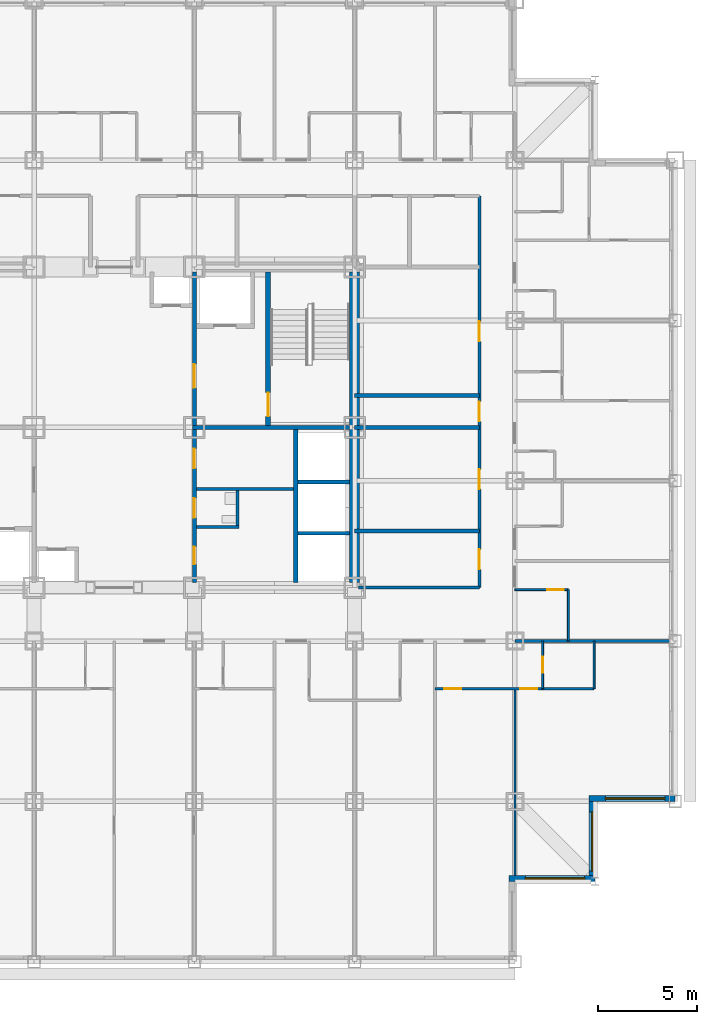
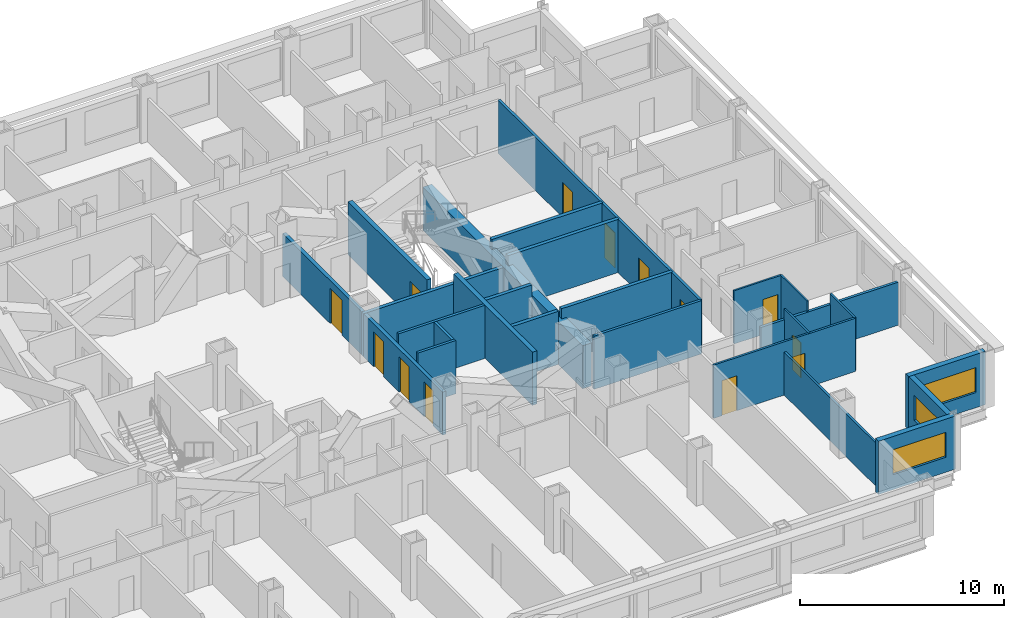
# One storey, part 7 of 14: 26 walls, 13 doors, 3 windows, 16 openings.
"""IFC4 building model written with IfcOpenShell, lengths in metres."""

from ifc_helpers import new_model, si_unit, direction, frame, frame_2d, origin, place, context, subcontext, project, spatial, rectangle, extrude, material, layer, layer_set, type_object, element, fill, save


model = new_model("IFC4")

# Units and contexts
model_context = context("Model", 3, precision=1e-05, world=origin(), true_north=direction((0.0, 1.0)))
body_context = subcontext(model_context, "Body", "Model", "MODEL_VIEW")
ifc_project = project(units=[si_unit("LENGTHUNIT", "METRE"), si_unit("AREAUNIT", "SQUARE_METRE"), si_unit("VOLUMEUNIT", "CUBIC_METRE"), si_unit("PLANEANGLEUNIT", "RADIAN"), si_unit("MASSUNIT", "GRAM", prefix="KILO")], contexts=[model_context])

# Site, building, storey
site_placement = place(None, origin())
site = spatial("IfcSite", under=ifc_project, at=site_placement, CompositionType="ELEMENT")
building_placement = place(site_placement, origin())
building = spatial("IfcBuilding", under=site, at=building_placement, Name="Kopane Lantern Tower", CompositionType="ELEMENT")
storey_placement = place(building_placement, frame((0.0, 0.0, 123.800048828125)))
storey = spatial("IfcBuildingStorey", under=building, at=storey_placement, Name="L31", CompositionType="ELEMENT", Elevation=123.800048828125)

# Wall, openings, doors
ifc_material_1 = material(Name="Gypsum board on steel studs", Category="steel")
ifc_layer_1 = layer(ifc_material_1, 0.1201171875)
ifc_layer_set_1 = layer_set([ifc_layer_1], Name="APARTMENT INTERNAL WALL 120")
wall_type_1 = type_object("IfcWallType", Name="APARTMENT INTERNAL WALL 120", PredefinedType="PARTITIONING", material=ifc_layer_set_1)
wall_1_placement = place(storey_placement, frame((44.550048828125, 19.199951171875, 0.0), z_axis=(0.0, 0.0, 1.0), x_axis=(1.0, 0.0, 0.0)))
wall_1 = element("IfcWall", 1, at=wall_1_placement, inside=storey, type_object=wall_type_1, Name="Apartment Internal Wall 120 L31", PredefinedType="PARTITIONING", context=body_context, shape_type="SweptSolid", body=[
    extrude(rectangle(XDim=8.050048828125, YDim=0.1201171875, at=frame_2d((4.02490234375, 0.0))), origin(), (0.0, 0.0, 1.0), 3.18994140625),
])
opening_1_placement = place(wall_1_placement, frame((0.47509765625, 0.0, 0.0)))
opening_1 = element("IfcOpeningElement", 2, at=opening_1_placement, cuts=wall_1, Name="Opening L31-070", PredefinedType="OPENING", context=body_context, shape_type="SweptSolid", body=[
    extrude(rectangle(XDim=0.85009765625, YDim=2.10009765625, at=frame_2d((0.425048828125, 1.050048828125))), frame((0.0, 0.070068359375, 0.0), z_axis=(0.0, -1.0, 0.0), x_axis=(1.0, 0.0, 0.0)), (0.0, 0.0, 1.0), 0.14013671875),
])
opening_2_placement = place(wall_1_placement, frame((4.324951171875, 0.0, 0.0)))
opening_2 = element("IfcOpeningElement", 3, at=opening_2_placement, cuts=wall_1, Name="Opening L31-072", PredefinedType="OPENING", context=body_context, shape_type="SweptSolid", body=[
    extrude(rectangle(XDim=0.85009765625, YDim=2.10009765625, at=frame_2d((0.425048828125, 1.050048828125))), frame((0.0, 0.070068359375, 0.0), z_axis=(0.0, -1.0, 0.0), x_axis=(1.0, 0.0, 0.0)), (0.0, 0.0, 1.0), 0.14013671875),
])
ifc_material_2 = material(Name="Timber door set", Category="wood")
door_type_1 = type_object("IfcDoorType", Name="DOOR D4 850x2100", OperationType="SINGLE_SWING_LEFT", PredefinedType="DOOR", material=ifc_material_2)
door_1_placement = place(opening_1_placement, origin())
door_1 = element("IfcDoor", 4, at=door_1_placement, inside=storey, type_object=door_type_1, Name="Door L31-070", OperationType="SINGLE_SWING_LEFT", OverallHeight=2.10009765625, OverallWidth=0.85009765625, PredefinedType="DOOR", context=body_context, shape_type="SweptSolid", body=[
    extrude(rectangle(XDim=0.85009765625, YDim=2.10009765625, at=frame_2d((0.425048828125, 1.050048828125))), frame((0.0, 0.02490234375, 0.0), z_axis=(0.0, -1.0, 0.0), x_axis=(1.0, 0.0, 0.0)), (0.0, 0.0, 1.0), 0.050048828125),
])
fill(opening_1, door_1)
door_2_placement = place(opening_2_placement, origin())
door_2 = element("IfcDoor", 5, at=door_2_placement, inside=storey, type_object=door_type_1, Name="Door L31-072", OperationType="SINGLE_SWING_RIGHT", OverallHeight=2.10009765625, OverallWidth=0.85009765625, PredefinedType="DOOR", context=body_context, shape_type="SweptSolid", body=[
    extrude(rectangle(XDim=0.85009765625, YDim=2.10009765625, at=frame_2d((0.425048828125, 1.050048828125))), frame((0.0, 0.02490234375, 0.0), z_axis=(0.0, -1.0, 0.0), x_axis=(1.0, 0.0, 0.0)), (0.0, 0.0, 1.0), 0.050048828125),
])
fill(opening_2, door_2)

# Walls
wall_2_placement = place(storey_placement, frame((48.60009765625, 19.199951171875, 0.0), z_axis=(0.0, 0.0, 1.0), x_axis=(0.0, -1.0, 0.0)))
element("IfcWall", 6, at=wall_2_placement, inside=storey, type_object=wall_type_1, Name="Apartment Internal Wall 120 L31", PredefinedType="PARTITIONING", context=body_context, shape_type="SweptSolid", body=[
    extrude(rectangle(XDim=9.449951171875, YDim=0.1201171875, at=frame_2d((4.72509765625, 0.0))), origin(), (0.0, 0.0, 1.0), 2.57763671875),
])
ifc_material_3 = material(Name="Moisture-resistant board on steel studs", Category="steel")
ifc_layer_2 = layer(ifc_material_3, 0.10009765625)
ifc_layer_set_2 = layer_set([ifc_layer_2], Name="BATHROOM WALL 100")
wall_type_2 = type_object("IfcWallType", Name="BATHROOM WALL 100", PredefinedType="PARTITIONING", material=ifc_layer_set_2)
wall_3_placement = place(storey_placement, frame((51.300048828125, 21.60009765625, 0.0), z_axis=(0.0, 0.0, 1.0), x_axis=(0.0, 1.0, 0.0)))
element("IfcWall", 7, at=wall_3_placement, inside=storey, type_object=wall_type_2, Name="Bathroom Wall 100 L31", PredefinedType="PARTITIONING", context=body_context, shape_type="SweptSolid", body=[
    extrude(rectangle(XDim=2.599853515625, YDim=0.10009765625, at=frame_2d((1.2998046875, 0.0))), origin(), (0.0, 0.0, 1.0), 3.18994140625),
])

# Wall, opening, door
wall_4_placement = place(storey_placement, frame((48.60009765625, 24.199951171875, 0.0), z_axis=(0.0, 0.0, 1.0), x_axis=(1.0, 0.0, 0.0)))
wall_4 = element("IfcWall", 8, at=wall_4_placement, inside=storey, type_object=wall_type_2, Name="Bathroom Wall 100 L31", PredefinedType="PARTITIONING", context=body_context, shape_type="SweptSolid", body=[
    extrude(rectangle(XDim=2.699951171875, YDim=0.10009765625, at=frame_2d((1.35009765625, 0.0))), origin(), (0.0, 0.0, 1.0), 3.18994140625),
])
opening_3_placement = place(wall_4_placement, frame((1.625, 0.0, 0.0)))
opening_3 = element("IfcOpeningElement", 9, at=opening_3_placement, cuts=wall_4, Name="Opening L31-053", PredefinedType="OPENING", context=body_context, shape_type="SweptSolid", body=[
    extrude(rectangle(XDim=0.85009765625, YDim=2.10009765625, at=frame_2d((0.425048828125, 1.050048828125))), frame((0.0, 0.06005859375, 0.0), z_axis=(0.0, -1.0, 0.0), x_axis=(1.0, 0.0, 0.0)), (0.0, 0.0, 1.0), 0.1201171875),
])
door_3_placement = place(opening_3_placement, origin())
door_3 = element("IfcDoor", 10, at=door_3_placement, inside=storey, type_object=door_type_1, Name="Door L31-053", OperationType="SINGLE_SWING_LEFT", OverallHeight=2.10009765625, OverallWidth=0.85009765625, PredefinedType="DOOR", context=body_context, shape_type="SweptSolid", body=[
    extrude(rectangle(XDim=0.85009765625, YDim=2.10009765625, at=frame_2d((0.425048828125, 1.050048828125))), frame((0.0, 0.02490234375, 0.0), z_axis=(0.0, -1.0, 0.0), x_axis=(1.0, 0.0, 0.0)), (0.0, 0.0, 1.0), 0.050048828125),
])
fill(opening_3, door_3)

wall_5_placement = place(storey_placement, frame((50.0, 21.60009765625, 0.0), z_axis=(0.0, 0.0, 1.0), x_axis=(0.0, -1.0, 0.0)))
wall_5 = element("IfcWall", 11, at=wall_5_placement, inside=storey, type_object=wall_type_2, Name="Bathroom Wall 100 L31", PredefinedType="PARTITIONING", context=body_context, shape_type="SweptSolid", body=[
    extrude(rectangle(XDim=2.400146484375, YDim=0.10009765625, at=frame_2d((1.2001953125, 0.0))), origin(), (0.0, 0.0, 1.0), 3.18994140625),
])
opening_4_placement = place(wall_5_placement, frame((0.800048828125, 0.0, 0.0)))
opening_4 = element("IfcOpeningElement", 12, at=opening_4_placement, cuts=wall_5, Name="Opening L31-071", PredefinedType="OPENING", context=body_context, shape_type="SweptSolid", body=[
    extrude(rectangle(XDim=0.800048828125, YDim=2.10009765625, at=frame_2d((0.39990234375, 1.050048828125))), frame((0.0, 0.06005859375, 0.0), z_axis=(0.0, -1.0, 0.0), x_axis=(1.0, 0.0, 0.0)), (0.0, 0.0, 1.0), 0.1201171875),
])
ifc_material_4 = material(Name="Timber door set", Category="wood")
door_type_2 = type_object("IfcDoorType", Name="DOOR D2 800x2100", OperationType="SINGLE_SWING_LEFT", PredefinedType="DOOR", material=ifc_material_4)
door_4_placement = place(opening_4_placement, origin())
door_4 = element("IfcDoor", 13, at=door_4_placement, inside=storey, type_object=door_type_2, Name="Door L31-071", OperationType="SINGLE_SWING_LEFT", OverallHeight=2.10009765625, OverallWidth=0.800048828125, PredefinedType="DOOR", context=body_context, shape_type="SweptSolid", body=[
    extrude(rectangle(XDim=0.800048828125, YDim=2.10009765625, at=frame_2d((0.39990234375, 1.050048828125))), frame((0.0, 0.02490234375, 0.0), z_axis=(0.0, -1.0, 0.0), x_axis=(1.0, 0.0, 0.0)), (0.0, 0.0, 1.0), 0.050048828125),
])
fill(opening_4, door_4)

# Walls
wall_6_placement = place(storey_placement, frame((52.60009765625, 21.60009765625, 0.0), z_axis=(0.0, 0.0, 1.0), x_axis=(0.0, -1.0, 0.0)))
element("IfcWall", 14, at=wall_6_placement, inside=storey, type_object=wall_type_2, Name="Bathroom Wall 100 L31", PredefinedType="PARTITIONING", context=body_context, shape_type="SweptSolid", body=[
    extrude(rectangle(XDim=2.400146484375, YDim=0.10009765625, at=frame_2d((1.2001953125, 0.0))), origin(), (0.0, 0.0, 1.0), 3.18994140625),
])
ifc_material_5 = material(Name="Gypsum shaft wall EI 120", Category="gypsum")
ifc_layer_3 = layer(ifc_material_5, 0.5)
ifc_layer_set_3 = layer_set([ifc_layer_3], Name="CORE PERIMETER WALL 500 EI 120")
wall_type_3 = type_object("IfcWallType", Name="CORE PERIMETER WALL 500 EI 120", PredefinedType="SOLIDWALL", material=ifc_layer_set_3)
wall_7_placement = place(storey_placement, frame((40.5, 24.550048828125, 0.0), z_axis=(0.0, 0.0, 1.0), x_axis=(0.0, 1.0, 0.0)))
element("IfcWall", 15, at=wall_7_placement, inside=storey, type_object=wall_type_3, Name="Core shaft wall L31 PE", PredefinedType="SOLIDWALL", context=body_context, shape_type="SweptSolid", body=[
    extrude(rectangle(XDim=15.699951171875, YDim=0.5, at=frame_2d((7.85009765625, 0.0))), origin(), (0.0, 0.0, 1.0), 2.57763671875),
])
ifc_material_6 = material(Name="Gypsum partition EI 60", Category="gypsum")
ifc_layer_4 = layer(ifc_material_6, 0.14990234375)
ifc_layer_set_4 = layer_set([ifc_layer_4], Name="CORE ROOM PARTITION 150 EI 60")
wall_type_4 = type_object("IfcWallType", Name="CORE ROOM PARTITION 150 EI 60", PredefinedType="PARTITIONING", material=ifc_layer_set_4)
wall_8_placement = place(storey_placement, frame((32.5, 27.375, 0.0), z_axis=(0.0, 0.0, 1.0), x_axis=(1.0, 0.0, 0.0)))
element("IfcWall", 16, at=wall_8_placement, inside=storey, type_object=wall_type_4, Name="Core room partition L31 E1", PredefinedType="PARTITIONING", context=body_context, shape_type="SweptSolid", body=[
    extrude(rectangle(XDim=2.14990234375, YDim=0.14990234375, at=frame_2d((1.074951171875, 0.0))), origin(), (0.0, 0.0, 1.0), 3.18994140625),
])
wall_9_placement = place(storey_placement, frame((32.5, 29.27490234375, 0.0), z_axis=(0.0, 0.0, 1.0), x_axis=(1.0, 0.0, 0.0)))
element("IfcWall", 17, at=wall_9_placement, inside=storey, type_object=wall_type_4, Name="Core room partition L31 E2", PredefinedType="PARTITIONING", context=body_context, shape_type="SweptSolid", body=[
    extrude(rectangle(XDim=4.89990234375, YDim=0.14990234375, at=frame_2d((2.449951171875, 0.0))), origin(), (0.0, 0.0, 1.0), 3.18994140625),
])
wall_10_placement = place(storey_placement, frame((34.574951171875, 27.449951171875, 0.0), z_axis=(0.0, 0.0, 1.0), x_axis=(0.0, 1.0, 0.0)))
element("IfcWall", 18, at=wall_10_placement, inside=storey, type_object=wall_type_4, Name="Core room partition L31 EB1", PredefinedType="PARTITIONING", context=body_context, shape_type="SweptSolid", body=[
    extrude(rectangle(XDim=1.75, YDim=0.14990234375, at=frame_2d((0.875, 0.0))), origin(), (0.0, 0.0, 1.0), 3.18994140625),
])

# Wall, openings, doors
ifc_material_7 = material(Name="Gypsum partition EI 60", Category="gypsum")
ifc_layer_5 = layer(ifc_material_7, 0.199951171875)
ifc_layer_set_5 = layer_set([ifc_layer_5], Name="CORE ROOM WALL 200 EI 60")
wall_type_5 = type_object("IfcWallType", Name="CORE ROOM WALL 200 EI 60", PredefinedType="PARTITIONING", material=ifc_layer_set_5)
wall_11_placement = place(storey_placement, frame((32.39990234375, 24.550048828125, 0.0), z_axis=(0.0, 0.0, 1.0), x_axis=(0.0, 1.0, 0.0)))
wall_11 = element("IfcWall", 19, at=wall_11_placement, inside=storey, type_object=wall_type_5, Name="Core room wall L31 XE", PredefinedType="PARTITIONING", context=body_context, shape_type="SweptSolid", body=[
    extrude(rectangle(XDim=7.75, YDim=0.199951171875, at=frame_2d((3.875, 0.0))), origin(), (0.0, 0.0, 1.0), 2.57763671875),
])
opening_5_placement = place(wall_11_placement, frame((0.925048828125, 0.0, 0.0)))
opening_5 = element("IfcOpeningElement", 20, at=opening_5_placement, cuts=wall_11, Name="Opening 31.C20", PredefinedType="OPENING", context=body_context, shape_type="SweptSolid", body=[
    extrude(rectangle(XDim=0.89990234375, YDim=2.10009765625, at=frame_2d((0.449951171875, 1.050048828125))), frame((0.0, 0.10986328125, 0.0), z_axis=(0.0, -1.0, 0.0), x_axis=(1.0, 0.0, 0.0)), (0.0, 0.0, 1.0), 0.219970703125),
])
opening_6_placement = place(wall_11_placement, frame((3.27490234375, 0.0, 0.0)))
opening_6 = element("IfcOpeningElement", 21, at=opening_6_placement, cuts=wall_11, Name="Opening 31.C21", PredefinedType="OPENING", context=body_context, shape_type="SweptSolid", body=[
    extrude(rectangle(XDim=1.0, YDim=2.10009765625, at=frame_2d((0.5, 1.050048828125))), frame((0.0, 0.10986328125, 0.0), z_axis=(0.0, -1.0, 0.0), x_axis=(1.0, 0.0, 0.0)), (0.0, 0.0, 1.0), 0.219970703125),
])
opening_7_placement = place(wall_11_placement, frame((5.77490234375, 0.0, 0.0)))
opening_7 = element("IfcOpeningElement", 22, at=opening_7_placement, cuts=wall_11, Name="Opening 31.C22", PredefinedType="OPENING", context=body_context, shape_type="SweptSolid", body=[
    extrude(rectangle(XDim=1.0, YDim=2.10009765625, at=frame_2d((0.5, 1.050048828125))), frame((0.0, 0.10986328125, 0.0), z_axis=(0.0, -1.0, 0.0), x_axis=(1.0, 0.0, 0.0)), (0.0, 0.0, 1.0), 0.219970703125),
])
ifc_material_8 = material(Name="Steel door set", Category="steel")
door_type_3 = type_object("IfcDoorType", Name="CORE ROOM DOOR 1000x2100 FD30S", OperationType="SINGLE_SWING_RIGHT", PredefinedType="DOOR", material=ifc_material_8)
door_5_placement = place(opening_6_placement, origin())
door_5 = element("IfcDoor", 23, at=door_5_placement, inside=storey, type_object=door_type_3, Name="Door Staff WC L31", OperationType="SINGLE_SWING_LEFT", OverallHeight=2.10009765625, OverallWidth=1.0, PredefinedType="DOOR", context=body_context, shape_type="SweptSolid", body=[
    extrude(rectangle(XDim=1.0, YDim=2.10009765625, at=frame_2d((0.5, 1.050048828125))), frame((0.0, 0.02490234375, 0.0), z_axis=(0.0, -1.0, 0.0), x_axis=(1.0, 0.0, 0.0)), (0.0, 0.0, 1.0), 0.050048828125),
])
fill(opening_6, door_5)
door_6_placement = place(opening_7_placement, origin())
door_6 = element("IfcDoor", 24, at=door_6_placement, inside=storey, type_object=door_type_3, Name="Door Butler pantry L31", OperationType="SINGLE_SWING_RIGHT", OverallHeight=2.10009765625, OverallWidth=1.0, PredefinedType="DOOR", context=body_context, shape_type="SweptSolid", body=[
    extrude(rectangle(XDim=1.0, YDim=2.10009765625, at=frame_2d((0.5, 1.050048828125))), frame((0.0, 0.02490234375, 0.0), z_axis=(0.0, -1.0, 0.0), x_axis=(1.0, 0.0, 0.0)), (0.0, 0.0, 1.0), 0.050048828125),
])
fill(opening_7, door_6)
ifc_material_9 = material(Name="Steel door set", Category="steel")
door_type_4 = type_object("IfcDoorType", Name="CORE ROOM DOOR 900x2100 FD60", OperationType="SINGLE_SWING_LEFT", PredefinedType="DOOR", material=ifc_material_9)
door_7_placement = place(opening_5_placement, origin())
door_7 = element("IfcDoor", 25, at=door_7_placement, inside=storey, type_object=door_type_4, Name="Door Luggage store L31", OperationType="SINGLE_SWING_LEFT", OverallHeight=2.10009765625, OverallWidth=0.89990234375, PredefinedType="DOOR", context=body_context, shape_type="SweptSolid", body=[
    extrude(rectangle(XDim=0.89990234375, YDim=2.10009765625, at=frame_2d((0.449951171875, 1.050048828125))), frame((0.0, 0.02490234375, 0.0), z_axis=(0.0, -1.0, 0.0), x_axis=(1.0, 0.0, 0.0)), (0.0, 0.0, 1.0), 0.050048828125),
])
fill(opening_5, door_7)

# Wall
ifc_material_10 = material(Name="Gypsum shaft wall EI 120", Category="gypsum")
ifc_layer_6 = layer(ifc_material_10, 0.25)
ifc_layer_set_6 = layer_set([ifc_layer_6], Name="CORE SHAFT WALL 250 EI 120")
wall_type_6 = type_object("IfcWallType", Name="CORE SHAFT WALL 250 EI 120", PredefinedType="SOLIDWALL", material=ifc_layer_set_6)
wall_12_placement = place(storey_placement, frame((37.52490234375, 24.550048828125, 0.0), z_axis=(0.0, 0.0, 1.0), x_axis=(0.0, 1.0, 0.0)))
element("IfcWall", 26, at=wall_12_placement, inside=storey, type_object=wall_type_6, Name="Core shaft wall L31 XLR", PredefinedType="SOLIDWALL", context=body_context, shape_type="SweptSolid", body=[
    extrude(rectangle(XDim=7.75, YDim=0.25, at=frame_2d((3.875, 0.0))), origin(), (0.0, 0.0, 1.0), 3.18994140625),
])

# Wall, opening, door
wall_13_placement = place(storey_placement, frame((36.125, 32.5, 0.0), z_axis=(0.0, 0.0, 1.0), x_axis=(0.0, 1.0, 0.0)))
wall_13 = element("IfcWall", 27, at=wall_13_placement, inside=storey, type_object=wall_type_6, Name="Core shaft wall L31 XST2", PredefinedType="SOLIDWALL", context=body_context, shape_type="SweptSolid", body=[
    extrude(rectangle(XDim=7.75, YDim=0.25, at=frame_2d((3.875, 0.0))), origin(), (0.0, 0.0, 1.0), 3.18994140625),
])
opening_8_placement = place(wall_13_placement, frame((0.449951171875, 0.0, 0.0)))
opening_8 = element("IfcOpeningElement", 28, at=opening_8_placement, cuts=wall_13, Name="Opening 31.SD2", PredefinedType="OPENING", context=body_context, shape_type="SweptSolid", body=[
    extrude(rectangle(XDim=1.199951171875, YDim=2.10009765625, at=frame_2d((0.60009765625, 1.050048828125))), frame((0.0, 0.135009765625, 0.0), z_axis=(0.0, -1.0, 0.0), x_axis=(1.0, 0.0, 0.0)), (0.0, 0.0, 1.0), 0.27001953125),
])
ifc_material_11 = material(Name="Steel door set", Category="steel")
door_type_5 = type_object("IfcDoorType", Name="STAIR DOOR 1200x2100 FD60S", OperationType="SINGLE_SWING_LEFT", PredefinedType="DOOR", material=ifc_material_11)
door_8_placement = place(opening_8_placement, origin())
door_8 = element("IfcDoor", 29, at=door_8_placement, inside=storey, type_object=door_type_5, Name="Stair door ST2 L31", OperationType="SINGLE_SWING_RIGHT", OverallHeight=2.10009765625, OverallWidth=1.199951171875, PredefinedType="DOOR", context=body_context, shape_type="SweptSolid", body=[
    extrude(rectangle(XDim=1.199951171875, YDim=2.10009765625, at=frame_2d((0.60009765625, 1.050048828125))), frame((0.0, 0.02490234375, 0.0), z_axis=(0.0, -1.0, 0.0), x_axis=(1.0, 0.0, 0.0)), (0.0, 0.0, 1.0), 0.050048828125),
])
fill(opening_8, door_8)

# Wall, openings, doors
ifc_material_12 = material(Name="Gypsum board on steel studs", Category="steel")
ifc_layer_7 = layer(ifc_material_12, 0.14990234375)
ifc_layer_set_7 = layer_set([ifc_layer_7], Name="CORRIDOR WALL 150 EI 60")
wall_type_7 = type_object("IfcWallType", Name="CORRIDOR WALL 150 EI 60", PredefinedType="PARTITIONING", material=ifc_layer_set_7)
wall_14_placement = place(storey_placement, frame((46.800048828125, 24.300048828125, 0.0), z_axis=(0.0, 0.0, 1.0), x_axis=(0.0, 1.0, 0.0)))
wall_14 = element("IfcWall", 30, at=wall_14_placement, inside=storey, type_object=wall_type_7, Name="Corridor Wall 150 Ei 60 L31", PredefinedType="PARTITIONING", context=body_context, shape_type="SweptSolid", body=[
    extrude(rectangle(XDim=19.800048828125, YDim=0.14990234375, at=frame_2d((9.89990234375, 0.0))), origin(), (0.0, 0.0, 1.0), 3.18994140625),
])
opening_9_placement = place(wall_14_placement, frame((0.9287109375, 0.0, 0.0)))
opening_9 = element("IfcOpeningElement", 31, at=opening_9_placement, cuts=wall_14, Name="Opening L31-004", PredefinedType="OPENING", context=body_context, shape_type="SweptSolid", body=[
    extrude(rectangle(XDim=1.0, YDim=2.10009765625, at=frame_2d((0.5, 1.050048828125))), frame((0.0, 0.0849609375, 0.0), z_axis=(0.0, -1.0, 0.0), x_axis=(1.0, 0.0, 0.0)), (0.0, 0.0, 1.0), 0.169921875),
])
opening_10_placement = place(wall_14_placement, frame((4.978515625, 0.0, 0.0)))
opening_10 = element("IfcOpeningElement", 32, at=opening_10_placement, cuts=wall_14, Name="Opening L31-005", PredefinedType="OPENING", context=body_context, shape_type="SweptSolid", body=[
    extrude(rectangle(XDim=1.0, YDim=2.10009765625, at=frame_2d((0.5, 1.050048828125))), frame((0.0, 0.0849609375, 0.0), z_axis=(0.0, -1.0, 0.0), x_axis=(1.0, 0.0, 0.0)), (0.0, 0.0, 1.0), 0.169921875),
])
opening_11_placement = place(wall_14_placement, frame((8.39990234375, 0.0, 0.0)))
opening_11 = element("IfcOpeningElement", 33, at=opening_11_placement, cuts=wall_14, Name="Opening L31-006", PredefinedType="OPENING", context=body_context, shape_type="SweptSolid", body=[
    extrude(rectangle(XDim=1.0, YDim=2.10009765625, at=frame_2d((0.5, 1.050048828125))), frame((0.0, 0.0849609375, 0.0), z_axis=(0.0, -1.0, 0.0), x_axis=(1.0, 0.0, 0.0)), (0.0, 0.0, 1.0), 0.169921875),
])
opening_12_placement = place(wall_14_placement, frame((12.449951171875, 0.0, 0.0)))
opening_12 = element("IfcOpeningElement", 34, at=opening_12_placement, cuts=wall_14, Name="Opening L31-007", PredefinedType="OPENING", context=body_context, shape_type="SweptSolid", body=[
    extrude(rectangle(XDim=1.0, YDim=2.10009765625, at=frame_2d((0.5, 1.050048828125))), frame((0.0, 0.0849609375, 0.0), z_axis=(0.0, -1.0, 0.0), x_axis=(1.0, 0.0, 0.0)), (0.0, 0.0, 1.0), 0.169921875),
])
ifc_material_13 = material(Name="Steel door set", Category="steel")
door_type_6 = type_object("IfcDoorType", Name="DOOR D5 1000x2100 FD60", OperationType="SINGLE_SWING_LEFT", PredefinedType="DOOR", material=ifc_material_13)
door_9_placement = place(opening_9_placement, origin())
door_9 = element("IfcDoor", 35, at=door_9_placement, inside=storey, type_object=door_type_6, Name="Door L31-004", OperationType="SINGLE_SWING_LEFT", OverallHeight=2.10009765625, OverallWidth=1.0, PredefinedType="DOOR", context=body_context, shape_type="SweptSolid", body=[
    extrude(rectangle(XDim=1.0, YDim=2.10009765625, at=frame_2d((0.5, 1.050048828125))), frame((0.0, 0.02490234375, 0.0), z_axis=(0.0, -1.0, 0.0), x_axis=(1.0, 0.0, 0.0)), (0.0, 0.0, 1.0), 0.050048828125),
])
fill(opening_9, door_9)
door_10_placement = place(opening_10_placement, origin())
door_10 = element("IfcDoor", 36, at=door_10_placement, inside=storey, type_object=door_type_6, Name="Door L31-005", OperationType="SINGLE_SWING_RIGHT", OverallHeight=2.10009765625, OverallWidth=1.0, PredefinedType="DOOR", context=body_context, shape_type="SweptSolid", body=[
    extrude(rectangle(XDim=1.0, YDim=2.10009765625, at=frame_2d((0.5, 1.050048828125))), frame((0.0, 0.02490234375, 0.0), z_axis=(0.0, -1.0, 0.0), x_axis=(1.0, 0.0, 0.0)), (0.0, 0.0, 1.0), 0.050048828125),
])
fill(opening_10, door_10)
door_11_placement = place(opening_11_placement, origin())
door_11 = element("IfcDoor", 37, at=door_11_placement, inside=storey, type_object=door_type_6, Name="Door L31-006", OperationType="SINGLE_SWING_LEFT", OverallHeight=2.10009765625, OverallWidth=1.0, PredefinedType="DOOR", context=body_context, shape_type="SweptSolid", body=[
    extrude(rectangle(XDim=1.0, YDim=2.10009765625, at=frame_2d((0.5, 1.050048828125))), frame((0.0, 0.02490234375, 0.0), z_axis=(0.0, -1.0, 0.0), x_axis=(1.0, 0.0, 0.0)), (0.0, 0.0, 1.0), 0.050048828125),
])
fill(opening_11, door_11)
door_12_placement = place(opening_12_placement, origin())
door_12 = element("IfcDoor", 38, at=door_12_placement, inside=storey, type_object=door_type_6, Name="Door L31-007", OperationType="SINGLE_SWING_RIGHT", OverallHeight=2.10009765625, OverallWidth=1.0, PredefinedType="DOOR", context=body_context, shape_type="SweptSolid", body=[
    extrude(rectangle(XDim=1.0, YDim=2.10009765625, at=frame_2d((0.5, 1.050048828125))), frame((0.0, 0.02490234375, 0.0), z_axis=(0.0, -1.0, 0.0), x_axis=(1.0, 0.0, 0.0)), (0.0, 0.0, 1.0), 0.050048828125),
])
fill(opening_12, door_12)

# Walls
wall_15_placement = place(storey_placement, frame((40.699951171875, 24.300048828125, 0.0), z_axis=(0.0, 0.0, 1.0), x_axis=(1.0, 0.0, 0.0)))
element("IfcWall", 39, at=wall_15_placement, inside=storey, type_object=wall_type_7, Name="Corridor Wall 150 Ei 60 L31", PredefinedType="PARTITIONING", context=body_context, shape_type="SweptSolid", body=[
    extrude(rectangle(XDim=6.10009765625, YDim=0.14990234375, at=frame_2d((3.050048828125, 0.0))), origin(), (0.0, 0.0, 1.0), 3.18994140625),
])
ifc_material_14 = material(Name="Gypsum board on steel studs", Category="steel")
ifc_layer_8 = layer(ifc_material_14, 0.14990234375)
ifc_layer_set_8 = layer_set([ifc_layer_8], Name="DEMISING WALL 150 EI 60")
wall_type_8 = type_object("IfcWallType", Name="DEMISING WALL 150 EI 60", PredefinedType="PARTITIONING", material=ifc_layer_set_8)
wall_16_placement = place(storey_placement, frame((48.60009765625, 21.60009765625, 0.0), z_axis=(0.0, 0.0, 1.0), x_axis=(1.0, 0.0, 0.0)))
element("IfcWall", 40, at=wall_16_placement, inside=storey, type_object=wall_type_8, Name="Demising Wall 150 Ei 60 L31", PredefinedType="PARTITIONING", context=body_context, shape_type="SweptSolid", body=[
    extrude(rectangle(XDim=7.7998046875, YDim=0.14990234375, at=frame_2d((3.89990234375, 0.0))), origin(), (0.0, 0.0, 1.0), 2.57763671875),
])

# Wall, opening, window
ifc_material_15 = material(Name="Terracotta rainscreen on light steel framing", Category="masonry")
ifc_layer_9 = layer(ifc_material_15, 0.300048828125)
ifc_layer_set_9 = layer_set([ifc_layer_9], Name="EXTERNAL WALL EW1 300 TERRACOTTA")
wall_type_9 = type_object("IfcWallType", Name="EXTERNAL WALL EW1 300 TERRACOTTA", PredefinedType="SOLIDWALL", material=ifc_layer_set_9)
wall_17_placement = place(storey_placement, frame((48.300048828125, 9.60009765625, 0.0), z_axis=(0.0, 0.0, 1.0), x_axis=(1.0, 0.0, 0.0)))
wall_17 = element("IfcWall", 41, at=wall_17_placement, inside=storey, type_object=wall_type_9, Name="External wall S L31", PredefinedType="SOLIDWALL", context=body_context, shape_type="SweptSolid", body=[
    extrude(rectangle(XDim=4.349853515625, YDim=0.300048828125, at=frame_2d((2.1748046875, 0.0))), origin(), (0.0, 0.0, 1.0), 3.18994140625),
])
opening_13_placement = place(wall_17_placement, frame((0.824951171875, 0.0, 0.89990234375)))
opening_13 = element("IfcOpeningElement", 42, at=opening_13_placement, cuts=wall_17, Name="Opening WR300150", PredefinedType="OPENING", context=body_context, shape_type="SweptSolid", body=[
    extrude(rectangle(XDim=3.0, YDim=1.5, at=frame_2d((1.5, 0.75))), frame((0.0, 0.159912109375, 0.0), z_axis=(0.0, -1.0, 0.0), x_axis=(1.0, 0.0, 0.0)), (0.0, 0.0, 1.0), 0.320068359375),
])
ifc_material_16 = material(Name="Aluminium and clear glass", Category="aluminium")
window_type = type_object("IfcWindowType", Name="RIBBON WINDOW WR300150 3000x1500", PartitioningType="SINGLE_PANEL", PredefinedType="WINDOW", material=ifc_material_16)
window_1_placement = place(opening_13_placement, origin())
window_1 = element("IfcWindow", 43, at=window_1_placement, inside=storey, type_object=window_type, Name="Window S L31", OverallHeight=1.5, OverallWidth=3.0, PartitioningType="SINGLE_PANEL", PredefinedType="WINDOW", context=body_context, shape_type="SweptSolid", body=[
    extrude(rectangle(XDim=3.0, YDim=1.5, at=frame_2d((1.5, 0.75))), frame((0.0, 0.030029296875, 0.0), z_axis=(0.0, -1.0, 0.0), x_axis=(1.0, 0.0, 0.0)), (0.0, 0.0, 1.0), 0.06005859375),
])
fill(opening_13, window_1)

wall_18_placement = place(storey_placement, frame((52.5, 9.75, 0.0), z_axis=(0.0, 0.0, 1.0), x_axis=(0.0, 1.0, 0.0)))
wall_18 = element("IfcWall", 44, at=wall_18_placement, inside=storey, type_object=wall_type_9, Name="External wall E L31", PredefinedType="SOLIDWALL", context=body_context, shape_type="SweptSolid", body=[
    extrude(rectangle(XDim=3.75, YDim=0.300048828125, at=frame_2d((1.875, 0.0))), origin(), (0.0, 0.0, 1.0), 3.18994140625),
])
opening_14_placement = place(wall_18_placement, frame((0.22509765625, 0.0, 0.89990234375)))
opening_14 = element("IfcOpeningElement", 45, at=opening_14_placement, cuts=wall_18, Name="Opening WR300150", PredefinedType="OPENING", context=body_context, shape_type="SweptSolid", body=[
    extrude(rectangle(XDim=3.0, YDim=1.5, at=frame_2d((1.5, 0.75))), frame((0.0, 0.159912109375, 0.0), z_axis=(0.0, -1.0, 0.0), x_axis=(1.0, 0.0, 0.0)), (0.0, 0.0, 1.0), 0.320068359375),
])
window_2_placement = place(opening_14_placement, origin())
window_2 = element("IfcWindow", 46, at=window_2_placement, inside=storey, type_object=window_type, Name="Window E L31", OverallHeight=1.5, OverallWidth=3.0, PartitioningType="SINGLE_PANEL", PredefinedType="WINDOW", context=body_context, shape_type="SweptSolid", body=[
    extrude(rectangle(XDim=3.0, YDim=1.5, at=frame_2d((1.5, 0.75))), frame((0.0, 0.030029296875, 0.0), z_axis=(0.0, -1.0, 0.0), x_axis=(1.0, 0.0, 0.0)), (0.0, 0.0, 1.0), 0.06005859375),
])
fill(opening_14, window_2)

wall_19_placement = place(storey_placement, frame((52.35009765625, 13.64990234375, 0.0), z_axis=(0.0, 0.0, 1.0), x_axis=(1.0, 0.0, 0.0)))
wall_19 = element("IfcWall", 47, at=wall_19_placement, inside=storey, type_object=wall_type_9, Name="External wall S L31", PredefinedType="SOLIDWALL", context=body_context, shape_type="SweptSolid", body=[
    extrude(rectangle(XDim=4.349853515625, YDim=0.300048828125, at=frame_2d((2.1748046875, 0.0))), origin(), (0.0, 0.0, 1.0), 3.18994140625),
])
opening_15_placement = place(wall_19_placement, frame((0.824951171875, 0.0, 0.89990234375)))
opening_15 = element("IfcOpeningElement", 48, at=opening_15_placement, cuts=wall_19, Name="Opening WR300150", PredefinedType="OPENING", context=body_context, shape_type="SweptSolid", body=[
    extrude(rectangle(XDim=3.0, YDim=1.5, at=frame_2d((1.5, 0.75))), frame((0.0, 0.159912109375, 0.0), z_axis=(0.0, -1.0, 0.0), x_axis=(1.0, 0.0, 0.0)), (0.0, 0.0, 1.0), 0.320068359375),
])
window_3_placement = place(opening_15_placement, origin())
window_3 = element("IfcWindow", 49, at=window_3_placement, inside=storey, type_object=window_type, Name="Window S L31", OverallHeight=1.5, OverallWidth=3.0, PartitioningType="SINGLE_PANEL", PredefinedType="WINDOW", context=body_context, shape_type="SweptSolid", body=[
    extrude(rectangle(XDim=3.0, YDim=1.5, at=frame_2d((1.5, 0.75))), frame((0.0, 0.030029296875, 0.0), z_axis=(0.0, -1.0, 0.0), x_axis=(1.0, 0.0, 0.0)), (0.0, 0.0, 1.0), 0.06005859375),
])
fill(opening_15, window_3)

# Walls
ifc_material_17 = material(Name="Concrete masonry", Category="masonry")
ifc_layer_10 = layer(ifc_material_17, 0.199951171875)
ifc_layer_set_10 = layer_set([ifc_layer_10], Name="PLANT ROOM WALL 200 EI 120")
wall_type_10 = type_object("IfcWallType", Name="PLANT ROOM WALL 200 EI 120", PredefinedType="SOLIDWALL", material=ifc_layer_set_10)
for number, where, z_axis, x_axis, name in (
    (50, (40.5, 32.39990234375, 0.0), (0.0, 0.0, 1.0), (1.0, 0.0, 0.0), "Plant Room Wall 200 Ei 120 L31"),
    (51, (46.800048828125, 27.156982421875, 0.0), (0.0, 0.0, 1.0), (-1.0, 0.0, 0.0), "Plant Room Wall 200 Ei 120 L31"),
    (52, (46.800048828125, 34.0, 0.0), (0.0, 0.0, 1.0), (-1.0, 0.0, 0.0), "Plant Room Wall 200 Ei 120 L31"),
):
    element("IfcWall", number, at=place(storey_placement, frame(where, z_axis=z_axis, x_axis=x_axis)), inside=storey, type_object=wall_type_10, Name=name, PredefinedType="SOLIDWALL", context=body_context, shape_type="SweptSolid", body=[
        extrude(rectangle(XDim=6.300048828125, YDim=0.199951171875, at=frame_2d((3.14990234375, 0.0))), origin(), (0.0, 0.0, 1.0), 3.18994140625),
    ])
ifc_material_18 = material(Name="Gypsum shaft wall EI 120", Category="gypsum")
ifc_layer_11 = layer(ifc_material_18, 0.199951171875)
ifc_layer_set_11 = layer_set([ifc_layer_11], Name="SHAFT WALL 200 EI 120")
wall_type_11 = type_object("IfcWallType", Name="SHAFT WALL 200 EI 120", PredefinedType="SOLIDWALL", material=ifc_layer_set_11)
wall_20_placement = place(storey_placement, frame((32.300048828125, 32.39990234375, 0.0), z_axis=(0.0, 0.0, 1.0), x_axis=(1.0, 0.0, 0.0)))
element("IfcWall", 53, at=wall_20_placement, inside=storey, type_object=wall_type_11, Name="Core shaft wall L31 Y324E", PredefinedType="SOLIDWALL", context=body_context, shape_type="SweptSolid", body=[
    extrude(rectangle(XDim=7.949951171875, YDim=0.199951171875, at=frame_2d((3.97509765625, 0.0))), origin(), (0.0, 0.0, 1.0), 2.57763671875),
])

# Wall, opening, door
wall_21_placement = place(storey_placement, frame((32.39990234375, 32.5, 0.0), z_axis=(0.0, 0.0, 1.0), x_axis=(0.0, 1.0, 0.0)))
wall_21 = element("IfcWall", 54, at=wall_21_placement, inside=storey, type_object=wall_type_11, Name="Core shaft wall L31 X324", PredefinedType="SOLIDWALL", context=body_context, shape_type="SweptSolid", body=[
    extrude(rectangle(XDim=7.75, YDim=0.199951171875, at=frame_2d((3.875, 0.0))), origin(), (0.0, 0.0, 1.0), 2.57763671875),
])
opening_16_placement = place(wall_21_placement, frame((1.89990234375, 0.0, 0.0)))
opening_16 = element("IfcOpeningElement", 55, at=opening_16_placement, cuts=wall_21, Name="Opening 31.FL2", PredefinedType="OPENING", context=body_context, shape_type="SweptSolid", body=[
    extrude(rectangle(XDim=1.199951171875, YDim=2.10009765625, at=frame_2d((0.60009765625, 1.050048828125))), frame((0.0, 0.10986328125, 0.0), z_axis=(0.0, -1.0, 0.0), x_axis=(1.0, 0.0, 0.0)), (0.0, 0.0, 1.0), 0.219970703125),
])
ifc_material_19 = material(Name="Steel door set", Category="steel")
door_type_7 = type_object("IfcDoorType", Name="FIREFIGHTING LOBBY DOOR 1200x2100 FD60S", OperationType="SINGLE_SWING_RIGHT", PredefinedType="DOOR", material=ifc_material_19)
door_13_placement = place(opening_16_placement, origin())
door_13 = element("IfcDoor", 56, at=door_13_placement, inside=storey, type_object=door_type_7, Name="Firefighting lobby door FL2 L31", OperationType="SINGLE_SWING_LEFT", OverallHeight=2.10009765625, OverallWidth=1.199951171875, PredefinedType="DOOR", context=body_context, shape_type="SweptSolid", body=[
    extrude(rectangle(XDim=1.199951171875, YDim=2.10009765625, at=frame_2d((0.60009765625, 1.050048828125))), frame((0.0, 0.02490234375, 0.0), z_axis=(0.0, -1.0, 0.0), x_axis=(1.0, 0.0, 0.0)), (0.0, 0.0, 1.0), 0.050048828125),
])
fill(opening_16, door_13)

# Walls
for number, where, z_axis, x_axis, name in (
    (57, (37.64990234375, 27.050048828125, 0.0), (0.0, 0.0, 1.0), (1.0, 0.0, 0.0), "Core shaft wall L31 YLR12"),
    (58, (37.64990234375, 29.64990234375, 0.0), (0.0, 0.0, 1.0), (1.0, 0.0, 0.0), "Core shaft wall L31 YLR23"),
):
    element("IfcWall", number, at=place(storey_placement, frame(where, z_axis=z_axis, x_axis=x_axis)), inside=storey, type_object=wall_type_11, Name=name, PredefinedType="SOLIDWALL", context=body_context, shape_type="SweptSolid", body=[
        extrude(rectangle(XDim=2.60009765625, YDim=0.199951171875, at=frame_2d((1.300048828125, 0.0))), origin(), (0.0, 0.0, 1.0), 3.18994140625),
    ])

save(model, "model.ifc")
